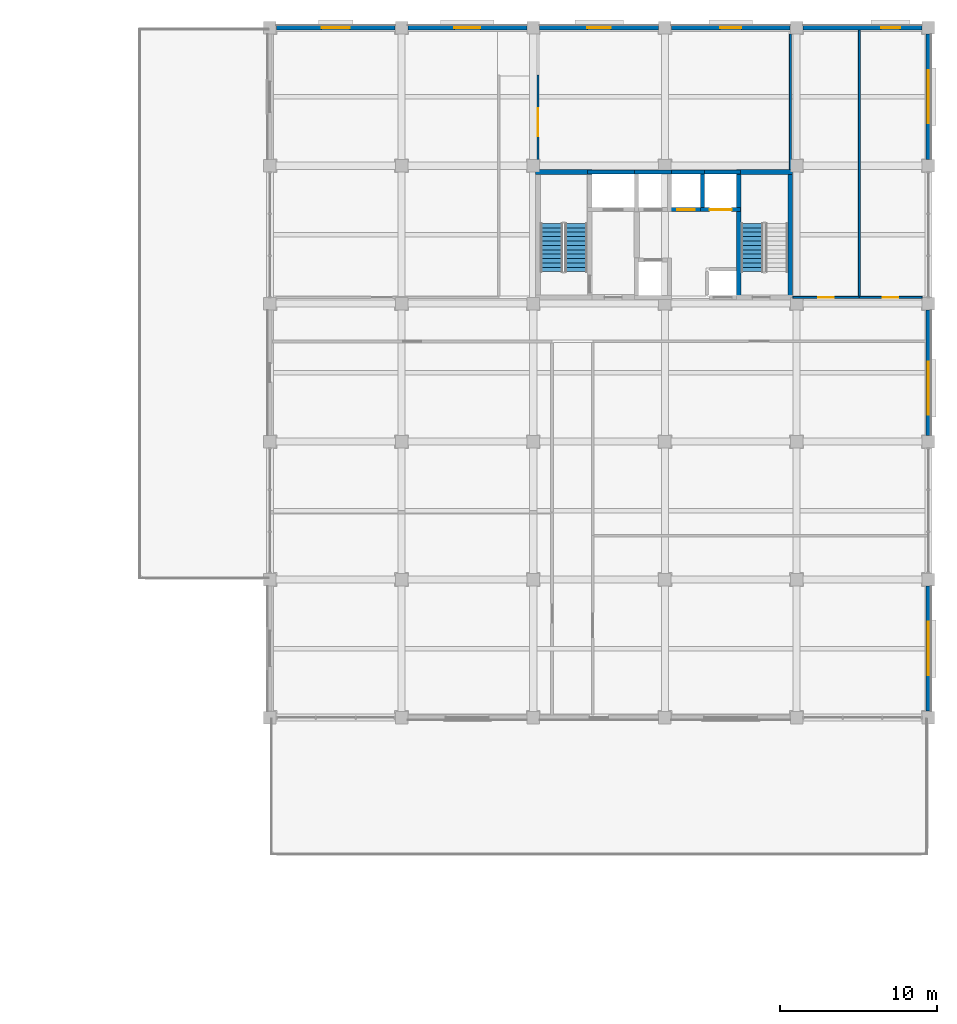
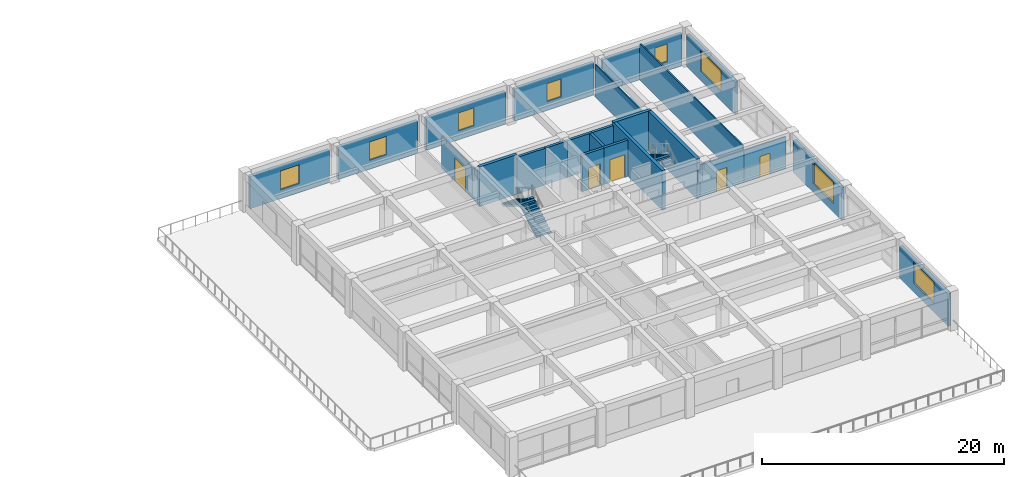
# One storey, part 38 of 49: 24 walls, 8 windows, 5 doors, 3 stair flights, 13 openings, 2 elements without a shape of their own.
"""IFC4 building model written with IfcOpenShell, lengths in metres."""

from ifc_helpers import new_model, si_unit, direction, frame, frame_2d, origin, place, context, subcontext, project, spatial, polyline, rectangle, outline, extrude, material, layer, layer_set, type_object, element, fill, aggregate, save


model = new_model("IFC4")

# Units and contexts
model_context = context("Model", 3, precision=1e-05, world=origin(), true_north=direction((0.0, 1.0)))
body_context = subcontext(model_context, "Body", "Model", "MODEL_VIEW")
ifc_project = project(units=[si_unit("LENGTHUNIT", "METRE"), si_unit("AREAUNIT", "SQUARE_METRE"), si_unit("VOLUMEUNIT", "CUBIC_METRE"), si_unit("PLANEANGLEUNIT", "RADIAN"), si_unit("MASSUNIT", "GRAM", prefix="KILO")], contexts=[model_context])

# Site, building, storey
site_placement = place(None, origin())
site = spatial("IfcSite", under=ifc_project, at=site_placement, CompositionType="ELEMENT")
building_placement = place(site_placement, origin())
building = spatial("IfcBuilding", under=site, at=building_placement, Name="Kemercrest Conservatory and Botanical Centre", CompositionType="ELEMENT")
storey_placement = place(building_placement, frame((0.0, 0.0, 13.199951171875)))
storey = spatial("IfcBuildingStorey", under=building, at=storey_placement, Name="L03", CompositionType="ELEMENT", Elevation=13.199951171875)

# Walls
ifc_material_1 = material(Name="Concrete C50/60", Category="concrete")
ifc_layer_1 = layer(ifc_material_1, 0.300048828125)
ifc_layer_set_1 = layer_set([ifc_layer_1], Name="Concrete C50/60")
wall_type_1 = type_object("IfcWallType", Name="CW-STAIR", PredefinedType="SHEAR", material=ifc_layer_set_1)
for number, where, z_axis, x_axis, name in (
    (1, (150.949951171875, 113.199951171875, 0.0), (0.0, 0.0, 1.0), (1.0, 0.0, 0.0), "Stair core ST-V4A shear wall N"),
    (2, (163.75, 113.199951171875, 0.0), (0.0, 0.0, 1.0), (1.0, 0.0, 0.0), "Stair core ST-V4B shear wall N"),
):
    element("IfcWall", number, at=place(storey_placement, frame(where, z_axis=z_axis, x_axis=x_axis)), inside=storey, type_object=wall_type_1, Name=name, PredefinedType="SHEAR", context=body_context, shape_type="SweptSolid", body=[
        extrude(rectangle(XDim=3.60009765625, YDim=0.300048828125, at=frame_2d((1.800048828125, 0.0))), origin(), (0.0, 0.0, 1.0), 4.0),
    ])
for number, where, z_axis, x_axis, name in (
    (3, (163.89990234375, 105.050048828125, 0.0), (0.0, 0.0, 1.0), (0.0, 1.0, 0.0), "Stair core ST-V4B shear wall W"),
    (4, (167.199951171875, 105.050048828125, 0.0), (0.0, 0.0, 1.0), (0.0, 1.0, 0.0), "Stair core ST-V4B shear wall E"),
):
    element("IfcWall", number, at=place(storey_placement, frame(where, z_axis=z_axis, x_axis=x_axis)), inside=storey, type_object=wall_type_1, Name=name, PredefinedType="SHEAR", context=body_context, shape_type="SweptSolid", body=[
        extrude(rectangle(XDim=8.300048828125, YDim=0.300048828125, at=frame_2d((4.14990234375, 0.0))), origin(), (0.0, 0.0, 1.0), 4.0),
    ])

# Wall, opening, window
ifc_material_2 = material(Name="Precast concrete C40/50", Category="concrete")
ifc_layer_2 = layer(ifc_material_2, 0.300048828125)
ifc_layer_set_2 = layer_set([ifc_layer_2], Name="Precast concrete C40/50")
wall_type_2 = type_object("IfcWallType", Name="W-EXT300", PredefinedType="SOLIDWALL", material=ifc_layer_set_2)
wall_1_placement = place(storey_placement, frame((176.0, 78.81005859375, 0.0), z_axis=(0.0, 0.0, 1.0), x_axis=(0.0, 1.0, 0.0)))
wall_1 = element("IfcWall", 5, at=wall_1_placement, inside=storey, type_object=wall_type_2, Name="Exterior almasik wall W-EXT300 (WAL:L03:EXT-213)", PredefinedType="SOLIDWALL", context=body_context, shape_type="SweptSolid", body=[
    extrude(rectangle(XDim=7.97998046875, YDim=0.300048828125, at=frame_2d((3.989990234375, 0.0))), origin(), (0.0, 0.0, 1.0), 3.25),
])
opening_1_placement = place(wall_1_placement, frame((2.2900390625, 0.0, 0.89990234375)))
opening_1 = element("IfcOpeningElement", 6, at=opening_1_placement, cuts=wall_1, Name="Opening WT-20", PredefinedType="OPENING", context=body_context, shape_type="SweptSolid", body=[
    extrude(rectangle(XDim=3.39990234375, YDim=2.14990234375, at=frame_2d((1.699951171875, 1.074951171875))), frame((0.0, 0.16015625, 0.0), z_axis=(0.0, -1.0, 0.0), x_axis=(1.0, 0.0, 0.0)), (0.0, 0.0, 1.0), 0.320068359375),
])
ifc_material_3 = material(Name="Thermally broken bronze-anodized aluminium and triple glazing", Category="aluminium")
window_type_1 = type_object("IfcWindowType", Name="WT-20", PartitioningType="SINGLE_PANEL", PredefinedType="WINDOW", material=ifc_material_3)
window_1_placement = place(opening_1_placement, origin())
window_1 = element("IfcWindow", 7, at=window_1_placement, inside=storey, type_object=window_type_1, Name="Exterior window WT-20 (WIN:L03:EXT-213)", OverallHeight=2.14990234375, OverallWidth=3.39990234375, PartitioningType="SINGLE_PANEL", PredefinedType="WINDOW", context=body_context, shape_type="SweptSolid", body=[
    extrude(rectangle(XDim=3.39990234375, YDim=2.14990234375, at=frame_2d((1.699951171875, 1.074951171875))), frame((0.0, 0.030029296875, 0.0), z_axis=(0.0, -1.0, 0.0), x_axis=(1.0, 0.0, 0.0)), (0.0, 0.0, 1.0), 0.06005859375),
])
fill(opening_1, window_1)

wall_2_placement = place(storey_placement, frame((176.0, 96.409912109375, 0.0), z_axis=(0.0, 0.0, 1.0), x_axis=(0.0, 1.0, 0.0)))
wall_2 = element("IfcWall", 8, at=wall_2_placement, inside=storey, type_object=wall_type_2, Name="Exterior almasik wall W-EXT300 (WAL:L03:EXT-214)", PredefinedType="SOLIDWALL", context=body_context, shape_type="SweptSolid", body=[
    extrude(rectangle(XDim=7.97998046875, YDim=0.300048828125, at=frame_2d((3.989990234375, 0.0))), origin(), (0.0, 0.0, 1.0), 3.25),
])
opening_2_placement = place(wall_2_placement, frame((1.294921875, 0.0, 0.89990234375)))
opening_2 = element("IfcOpeningElement", 9, at=opening_2_placement, cuts=wall_2, Name="Opening WT-20", PredefinedType="OPENING", context=body_context, shape_type="SweptSolid", body=[
    extrude(rectangle(XDim=3.39990234375, YDim=2.14990234375, at=frame_2d((1.699951171875, 1.074951171875))), frame((0.0, 0.16015625, 0.0), z_axis=(0.0, -1.0, 0.0), x_axis=(1.0, 0.0, 0.0)), (0.0, 0.0, 1.0), 0.320068359375),
])
window_2_placement = place(opening_2_placement, origin())
window_2 = element("IfcWindow", 10, at=window_2_placement, inside=storey, type_object=window_type_1, Name="Exterior window WT-20 (WIN:L03:EXT-214)", OverallHeight=2.14990234375, OverallWidth=3.39990234375, PartitioningType="SINGLE_PANEL", PredefinedType="WINDOW", context=body_context, shape_type="SweptSolid", body=[
    extrude(rectangle(XDim=3.39990234375, YDim=2.14990234375, at=frame_2d((1.699951171875, 1.074951171875))), frame((0.0, 0.030029296875, 0.0), z_axis=(0.0, -1.0, 0.0), x_axis=(1.0, 0.0, 0.0)), (0.0, 0.0, 1.0), 0.06005859375),
])
fill(opening_2, window_2)

wall_3_placement = place(storey_placement, frame((176.0, 114.010009765625, 0.0), z_axis=(0.0, 0.0, 1.0), x_axis=(0.0, 1.0, 0.0)))
wall_3 = element("IfcWall", 11, at=wall_3_placement, inside=storey, type_object=wall_type_2, Name="Exterior almasik wall W-EXT300 (WAL:L03:EXT-215)", PredefinedType="SOLIDWALL", context=body_context, shape_type="SweptSolid", body=[
    extrude(rectangle(XDim=7.97998046875, YDim=0.300048828125, at=frame_2d((3.989990234375, 0.0))), origin(), (0.0, 0.0, 1.0), 3.25),
])
opening_3_placement = place(wall_3_placement, frame((2.2900390625, 0.0, 0.89990234375)))
opening_3 = element("IfcOpeningElement", 12, at=opening_3_placement, cuts=wall_3, Name="Opening WT-20", PredefinedType="OPENING", context=body_context, shape_type="SweptSolid", body=[
    extrude(rectangle(XDim=3.39990234375, YDim=2.14990234375, at=frame_2d((1.699951171875, 1.074951171875))), frame((0.0, 0.16015625, 0.0), z_axis=(0.0, -1.0, 0.0), x_axis=(1.0, 0.0, 0.0)), (0.0, 0.0, 1.0), 0.320068359375),
])
window_3_placement = place(opening_3_placement, origin())
window_3 = element("IfcWindow", 13, at=window_3_placement, inside=storey, type_object=window_type_1, Name="Exterior window WT-20 (WIN:L03:EXT-215)", OverallHeight=2.14990234375, OverallWidth=3.39990234375, PartitioningType="SINGLE_PANEL", PredefinedType="WINDOW", context=body_context, shape_type="SweptSolid", body=[
    extrude(rectangle(XDim=3.39990234375, YDim=2.14990234375, at=frame_2d((1.699951171875, 1.074951171875))), frame((0.0, 0.030029296875, 0.0), z_axis=(0.0, -1.0, 0.0), x_axis=(1.0, 0.0, 0.0)), (0.0, 0.0, 1.0), 0.06005859375),
])
fill(opening_3, window_3)

wall_4_placement = place(storey_placement, frame((175.590087890625, 122.39990234375, 0.0), z_axis=(0.0, 0.0, 1.0), x_axis=(-1.0, 0.0, 0.0)))
wall_4 = element("IfcWall", 14, at=wall_4_placement, inside=storey, type_object=wall_type_2, Name="Exterior almasik wall W-EXT300 (WAL:L03:EXT-216)", PredefinedType="SOLIDWALL", context=body_context, shape_type="SweptSolid", body=[
    extrude(rectangle(XDim=7.580078125, YDim=0.300048828125, at=frame_2d((3.7900390625, 0.0))), origin(), (0.0, 0.0, 1.0), 3.25),
])
opening_4_placement = place(wall_4_placement, frame((1.39501953125, 0.0, 0.89990234375)))
opening_4 = element("IfcOpeningElement", 15, at=opening_4_placement, cuts=wall_4, Name="Opening WT-01", PredefinedType="OPENING", context=body_context, shape_type="SweptSolid", body=[
    extrude(rectangle(XDim=1.199951171875, YDim=1.800048828125, at=frame_2d((0.60009765625, 0.89990234375))), frame((0.0, 0.16015625, 0.0), z_axis=(0.0, -1.0, 0.0), x_axis=(1.0, 0.0, 0.0)), (0.0, 0.0, 1.0), 0.320068359375),
])
window_type_2 = type_object("IfcWindowType", Name="WT-01", PartitioningType="SINGLE_PANEL", PredefinedType="WINDOW", material=ifc_material_3)
window_4_placement = place(opening_4_placement, origin())
window_4 = element("IfcWindow", 16, at=window_4_placement, inside=storey, type_object=window_type_2, Name="Exterior window WT-01 (WIN:L03:EXT-216)", OverallHeight=1.800048828125, OverallWidth=1.199951171875, PartitioningType="SINGLE_PANEL", PredefinedType="WINDOW", context=body_context, shape_type="SweptSolid", body=[
    extrude(rectangle(XDim=1.199951171875, YDim=1.800048828125, at=frame_2d((0.60009765625, 0.89990234375))), frame((0.0, 0.030029296875, 0.0), z_axis=(0.0, -1.0, 0.0), x_axis=(1.0, 0.0, 0.0)), (0.0, 0.0, 1.0), 0.06005859375),
])
fill(opening_4, window_4)

wall_5_placement = place(storey_placement, frame((167.18994140625, 122.39990234375, 0.0), z_axis=(0.0, 0.0, 1.0), x_axis=(-1.0, 0.0, 0.0)))
wall_5 = element("IfcWall", 17, at=wall_5_placement, inside=storey, type_object=wall_type_2, Name="Exterior almasik wall W-EXT300 (WAL:L03:EXT-217)", PredefinedType="SOLIDWALL", context=body_context, shape_type="SweptSolid", body=[
    extrude(rectangle(XDim=7.579833984375, YDim=0.300048828125, at=frame_2d((3.7900390625, 0.0))), origin(), (0.0, 0.0, 1.0), 3.25),
])
opening_5_placement = place(wall_5_placement, frame((3.114990234375, 0.0, 0.89990234375)))
opening_5 = element("IfcOpeningElement", 18, at=opening_5_placement, cuts=wall_5, Name="Opening WT-02", PredefinedType="OPENING", context=body_context, shape_type="SweptSolid", body=[
    extrude(rectangle(XDim=1.35009765625, YDim=1.800048828125, at=frame_2d((0.675048828125, 0.89990234375))), frame((0.0, 0.16015625, 0.0), z_axis=(0.0, -1.0, 0.0), x_axis=(1.0, 0.0, 0.0)), (0.0, 0.0, 1.0), 0.320068359375),
])
window_type_3 = type_object("IfcWindowType", Name="WT-02", PartitioningType="SINGLE_PANEL", PredefinedType="WINDOW", material=ifc_material_3)
window_5_placement = place(opening_5_placement, origin())
window_5 = element("IfcWindow", 19, at=window_5_placement, inside=storey, type_object=window_type_3, Name="Exterior window WT-02 (WIN:L03:EXT-217)", OverallHeight=1.800048828125, OverallWidth=1.35009765625, PartitioningType="SINGLE_PANEL", PredefinedType="WINDOW", context=body_context, shape_type="SweptSolid", body=[
    extrude(rectangle(XDim=1.35009765625, YDim=1.800048828125, at=frame_2d((0.675048828125, 0.89990234375))), frame((0.0, 0.030029296875, 0.0), z_axis=(0.0, -1.0, 0.0), x_axis=(1.0, 0.0, 0.0)), (0.0, 0.0, 1.0), 0.06005859375),
])
fill(opening_5, window_5)

wall_6_placement = place(storey_placement, frame((158.7900390625, 122.39990234375, 0.0), z_axis=(0.0, 0.0, 1.0), x_axis=(-1.0, 0.0, 0.0)))
wall_6 = element("IfcWall", 20, at=wall_6_placement, inside=storey, type_object=wall_type_2, Name="Exterior almasik wall W-EXT300 (WAL:L03:EXT-218)", PredefinedType="SOLIDWALL", context=body_context, shape_type="SweptSolid", body=[
    extrude(rectangle(XDim=7.580078125, YDim=0.300048828125, at=frame_2d((3.7900390625, 0.0))), origin(), (0.0, 0.0, 1.0), 3.25),
])
opening_6_placement = place(wall_6_placement, frame((3.0400390625, 0.0, 0.89990234375)))
opening_6 = element("IfcOpeningElement", 21, at=opening_6_placement, cuts=wall_6, Name="Opening WT-03", PredefinedType="OPENING", context=body_context, shape_type="SweptSolid", body=[
    extrude(rectangle(XDim=1.5, YDim=1.800048828125, at=frame_2d((0.75, 0.89990234375))), frame((0.0, 0.16015625, 0.0), z_axis=(0.0, -1.0, 0.0), x_axis=(1.0, 0.0, 0.0)), (0.0, 0.0, 1.0), 0.320068359375),
])
window_type_4 = type_object("IfcWindowType", Name="WT-03", PartitioningType="SINGLE_PANEL", PredefinedType="WINDOW", material=ifc_material_3)
window_6_placement = place(opening_6_placement, origin())
window_6 = element("IfcWindow", 22, at=window_6_placement, inside=storey, type_object=window_type_4, Name="Exterior window WT-03 (WIN:L03:EXT-218)", OverallHeight=1.800048828125, OverallWidth=1.5, PartitioningType="SINGLE_PANEL", PredefinedType="WINDOW", context=body_context, shape_type="SweptSolid", body=[
    extrude(rectangle(XDim=1.5, YDim=1.800048828125, at=frame_2d((0.75, 0.89990234375))), frame((0.0, 0.030029296875, 0.0), z_axis=(0.0, -1.0, 0.0), x_axis=(1.0, 0.0, 0.0)), (0.0, 0.0, 1.0), 0.06005859375),
])
fill(opening_6, window_6)

wall_7_placement = place(storey_placement, frame((150.389892578125, 122.39990234375, 0.0), z_axis=(0.0, 0.0, 1.0), x_axis=(-1.0, 0.0, 0.0)))
wall_7 = element("IfcWall", 23, at=wall_7_placement, inside=storey, type_object=wall_type_2, Name="Exterior almasik wall W-EXT300 (WAL:L03:EXT-219)", PredefinedType="SOLIDWALL", context=body_context, shape_type="SweptSolid", body=[
    extrude(rectangle(XDim=7.579833984375, YDim=0.300048828125, at=frame_2d((3.7900390625, 0.0))), origin(), (0.0, 0.0, 1.0), 3.25),
])
opening_7_placement = place(wall_7_placement, frame((2.965087890625, 0.0, 0.89990234375)))
opening_7 = element("IfcOpeningElement", 24, at=opening_7_placement, cuts=wall_7, Name="Opening WT-04", PredefinedType="OPENING", context=body_context, shape_type="SweptSolid", body=[
    extrude(rectangle(XDim=1.64990234375, YDim=1.85009765625, at=frame_2d((0.824951171875, 0.925048828125))), frame((0.0, 0.16015625, 0.0), z_axis=(0.0, -1.0, 0.0), x_axis=(1.0, 0.0, 0.0)), (0.0, 0.0, 1.0), 0.320068359375),
])
window_type_5 = type_object("IfcWindowType", Name="WT-04", PartitioningType="SINGLE_PANEL", PredefinedType="WINDOW", material=ifc_material_3)
window_7_placement = place(opening_7_placement, origin())
window_7 = element("IfcWindow", 25, at=window_7_placement, inside=storey, type_object=window_type_5, Name="Exterior window WT-04 (WIN:L03:EXT-219)", OverallHeight=1.85009765625, OverallWidth=1.64990234375, PartitioningType="SINGLE_PANEL", PredefinedType="WINDOW", context=body_context, shape_type="SweptSolid", body=[
    extrude(rectangle(XDim=1.64990234375, YDim=1.85009765625, at=frame_2d((0.824951171875, 0.925048828125))), frame((0.0, 0.030029296875, 0.0), z_axis=(0.0, -1.0, 0.0), x_axis=(1.0, 0.0, 0.0)), (0.0, 0.0, 1.0), 0.06005859375),
])
fill(opening_7, window_7)

wall_8_placement = place(storey_placement, frame((141.989990234375, 122.39990234375, 0.0), z_axis=(0.0, 0.0, 1.0), x_axis=(-1.0, 0.0, 0.0)))
wall_8 = element("IfcWall", 26, at=wall_8_placement, inside=storey, type_object=wall_type_2, Name="Exterior almasik wall W-EXT300 (WAL:L03:EXT-220)", PredefinedType="SOLIDWALL", context=body_context, shape_type="SweptSolid", body=[
    extrude(rectangle(XDim=7.580078125, YDim=0.300048828125, at=frame_2d((3.7900390625, 0.0))), origin(), (0.0, 0.0, 1.0), 3.25),
])
opening_8_placement = place(wall_8_placement, frame((2.889892578125, 0.0, 0.89990234375)))
opening_8 = element("IfcOpeningElement", 27, at=opening_8_placement, cuts=wall_8, Name="Opening WT-05", PredefinedType="OPENING", context=body_context, shape_type="SweptSolid", body=[
    extrude(rectangle(XDim=1.800048828125, YDim=1.89990234375, at=frame_2d((0.89990234375, 0.949951171875))), frame((0.0, 0.16015625, 0.0), z_axis=(0.0, -1.0, 0.0), x_axis=(1.0, 0.0, 0.0)), (0.0, 0.0, 1.0), 0.320068359375),
])
window_type_6 = type_object("IfcWindowType", Name="WT-05", PartitioningType="SINGLE_PANEL", PredefinedType="WINDOW", material=ifc_material_3)
window_8_placement = place(opening_8_placement, origin())
window_8 = element("IfcWindow", 28, at=window_8_placement, inside=storey, type_object=window_type_6, Name="Exterior window WT-05 (WIN:L03:EXT-220)", OverallHeight=1.89990234375, OverallWidth=1.800048828125, PartitioningType="SINGLE_PANEL", PredefinedType="WINDOW", context=body_context, shape_type="SweptSolid", body=[
    extrude(rectangle(XDim=1.800048828125, YDim=1.89990234375, at=frame_2d((0.89990234375, 0.949951171875))), frame((0.0, 0.030029296875, 0.0), z_axis=(0.0, -1.0, 0.0), x_axis=(1.0, 0.0, 0.0)), (0.0, 0.0, 1.0), 0.06005859375),
])
fill(opening_8, window_8)

# Wall, opening, door
ifc_material_4 = material(Name="Moisture-resistant gypsum board partition", Category="gypsum")
ifc_layer_3 = layer(ifc_material_4, 0.125)
ifc_layer_set_3 = layer_set([ifc_layer_3], Name="Moisture-resistant gypsum board partition")
wall_type_3 = type_object("IfcWallType", Name="W-PART125", PredefinedType="PARTITIONING", material=ifc_layer_set_3)
wall_9_placement = place(storey_placement, frame((167.35498046875, 105.199951171875, 0.0), z_axis=(0.0, 0.0, 1.0), x_axis=(1.0, 0.0, 0.0)))
wall_9 = element("IfcWall", 29, at=wall_9_placement, inside=storey, type_object=wall_type_3, Name="Interior partition W-PART125 #146", PredefinedType="PARTITIONING", context=body_context, shape_type="SweptSolid", body=[
    extrude(rectangle(XDim=4.2451171875, YDim=0.125, at=frame_2d((2.12255859375, 0.0))), origin(), (0.0, 0.0, 1.0), 3.2451171875),
])
opening_9_placement = place(wall_9_placement, frame((1.632568359375, 0.0, 0.0)))
opening_9 = element("IfcOpeningElement", 30, at=opening_9_placement, cuts=wall_9, Name="Opening D192", PredefinedType="OPENING", context=body_context, shape_type="SweptSolid", body=[
    extrude(rectangle(XDim=0.97998046875, YDim=2.10009765625, at=frame_2d((0.489990234375, 1.050048828125))), frame((0.0, 0.072509765625, 0.0), z_axis=(0.0, -1.0, 0.0), x_axis=(1.0, 0.0, 0.0)), (0.0, 0.0, 1.0), 0.14501953125),
])
ifc_material_5 = material(Name="FSC solid-core white oak veneer and anodized aluminium frame", Category="aluminium")
door_type_1 = type_object("IfcDoorType", Name="DT-02", OperationType="NOTDEFINED", PredefinedType="DOOR", material=ifc_material_5)
door_1_placement = place(opening_9_placement, origin())
door_1 = element("IfcDoor", 31, at=door_1_placement, inside=storey, type_object=door_type_1, Name="Staff Washroom door D192", OperationType="SINGLE_SWING_RIGHT", OverallHeight=2.10009765625, OverallWidth=0.97998046875, PredefinedType="DOOR", context=body_context, shape_type="SweptSolid", body=[
    extrude(rectangle(XDim=0.97998046875, YDim=2.10009765625, at=frame_2d((0.489990234375, 1.050048828125))), frame((0.0, 0.02490234375, 0.0), z_axis=(0.0, -1.0, 0.0), x_axis=(1.0, 0.0, 0.0)), (0.0, 0.0, 1.0), 0.050048828125),
])
fill(opening_9, door_1)

wall_10_placement = place(storey_placement, frame((171.60009765625, 105.199951171875, 0.0), z_axis=(0.0, 0.0, 1.0), x_axis=(1.0, 0.0, 0.0)))
wall_10 = element("IfcWall", 32, at=wall_10_placement, inside=storey, type_object=wall_type_3, Name="Interior partition W-PART125 #147", PredefinedType="PARTITIONING", context=body_context, shape_type="SweptSolid", body=[
    extrude(rectangle(XDim=4.0, YDim=0.125, at=frame_2d((2.0, 0.0))), origin(), (0.0, 0.0, 1.0), 3.2451171875),
])
opening_10_placement = place(wall_10_placement, frame((1.510009765625, 0.0, 0.0)))
opening_10 = element("IfcOpeningElement", 33, at=opening_10_placement, cuts=wall_10, Name="Opening D193", PredefinedType="OPENING", context=body_context, shape_type="SweptSolid", body=[
    extrude(rectangle(XDim=0.97998046875, YDim=2.10009765625, at=frame_2d((0.489990234375, 1.050048828125))), frame((0.0, 0.072509765625, 0.0), z_axis=(0.0, -1.0, 0.0), x_axis=(1.0, 0.0, 0.0)), (0.0, 0.0, 1.0), 0.14501953125),
])
door_2_placement = place(opening_10_placement, origin())
door_2 = element("IfcDoor", 34, at=door_2_placement, inside=storey, type_object=door_type_1, Name="Accessible Washroom door D193", OperationType="SINGLE_SWING_LEFT", OverallHeight=2.10009765625, OverallWidth=0.97998046875, PredefinedType="DOOR", context=body_context, shape_type="SweptSolid", body=[
    extrude(rectangle(XDim=0.97998046875, YDim=2.10009765625, at=frame_2d((0.489990234375, 1.050048828125))), frame((0.0, 0.02490234375, 0.0), z_axis=(0.0, -1.0, 0.0), x_axis=(1.0, 0.0, 0.0)), (0.0, 0.0, 1.0), 0.050048828125),
])
fill(opening_10, door_2)

# Walls
wall_11_placement = place(storey_placement, frame((167.199951171875, 113.35498046875, 0.0), z_axis=(0.0, 0.0, 1.0), x_axis=(0.0, 1.0, 0.0)))
element("IfcWall", 35, at=wall_11_placement, inside=storey, type_object=wall_type_3, Name="Interior partition W-PART125 #158", PredefinedType="PARTITIONING", context=body_context, shape_type="SweptSolid", body=[
    extrude(rectangle(XDim=8.64501953125, YDim=0.125, at=frame_2d((4.322509765625, 0.0))), origin(), (0.0, 0.0, 1.0), 3.2451171875),
])
wall_12_placement = place(storey_placement, frame((171.60009765625, 105.267578125, 0.0), z_axis=(0.0, 0.0, 1.0), x_axis=(0.0, 1.0, 0.0)))
element("IfcWall", 36, at=wall_12_placement, inside=storey, type_object=wall_type_3, Name="Interior partition W-PART125 #159", PredefinedType="PARTITIONING", context=body_context, shape_type="SweptSolid", body=[
    extrude(rectangle(XDim=16.9775390625, YDim=0.125, at=frame_2d((8.48876953125, 0.0))), origin(), (0.0, 0.0, 1.0), 3.6650390625),
])

# Wall, opening, door
ifc_material_6 = material(Name="Steel-stud gypsum board partition", Category="steel")
ifc_layer_4 = layer(ifc_material_6, 0.14990234375)
ifc_layer_set_4 = layer_set([ifc_layer_4], Name="Steel-stud gypsum board partition")
wall_type_4 = type_object("IfcWallType", Name="W-PART150", PredefinedType="PARTITIONING", material=ifc_layer_set_4)
wall_13_placement = place(storey_placement, frame((151.10009765625, 113.35498046875, 0.0), z_axis=(0.0, 0.0, 1.0), x_axis=(0.0, 1.0, 0.0)))
wall_13 = element("IfcWall", 37, at=wall_13_placement, inside=storey, type_object=wall_type_4, Name="Interior partition W-PART150 #153", PredefinedType="PARTITIONING", context=body_context, shape_type="SweptSolid", body=[
    extrude(rectangle(XDim=6.044921875, YDim=0.14990234375, at=frame_2d((3.0224609375, 0.0))), origin(), (0.0, 0.0, 1.0), 3.2451171875),
])
opening_11_placement = place(wall_13_placement, frame((2.142578125, 0.0, 0.0)))
opening_11 = element("IfcOpeningElement", 38, at=opening_11_placement, cuts=wall_13, Name="Opening D196", PredefinedType="OPENING", context=body_context, shape_type="SweptSolid", body=[
    extrude(rectangle(XDim=1.760009765625, YDim=2.360107421875, at=frame_2d((0.8798828125, 1.18017578125))), frame((0.0, 0.0849609375, 0.0), z_axis=(0.0, -1.0, 0.0), x_axis=(1.0, 0.0, 0.0)), (0.0, 0.0, 1.0), 0.169921875),
])
door_type_2 = type_object("IfcDoorType", Name="DT-43", OperationType="DOUBLE_DOOR_SINGLE_SWING", PredefinedType="DOOR", material=ifc_material_5)
door_3_placement = place(opening_11_placement, origin())
door_3 = element("IfcDoor", 39, at=door_3_placement, inside=storey, type_object=door_type_2, Name="Growth Chamber Suite door D196", OperationType="DOUBLE_DOOR_SINGLE_SWING", OverallHeight=2.360107421875, OverallWidth=1.760009765625, PredefinedType="DOOR", context=body_context, shape_type="SweptSolid", body=[
    extrude(rectangle(XDim=1.760009765625, YDim=2.360107421875, at=frame_2d((0.8798828125, 1.18017578125))), frame((0.0, 0.02490234375, 0.0), z_axis=(0.0, -1.0, 0.0), x_axis=(1.0, 0.0, 0.0)), (0.0, 0.0, 1.0), 0.050048828125),
])
fill(opening_11, door_3)

# Walls
ifc_material_7 = material(Name="Concrete C40/50", Category="concrete")
ifc_layer_5 = layer(ifc_material_7, 0.25)
ifc_layer_set_5 = layer_set([ifc_layer_5], Name="Concrete C40/50")
wall_type_5 = type_object("IfcWallType", Name="W-SHFT250", PredefinedType="SOLIDWALL", material=ifc_layer_set_5)
wall_14_placement = place(storey_placement, frame((154.27490234375, 113.199951171875, 0.0), z_axis=(0.0, 0.0, 1.0), x_axis=(1.0, 0.0, 0.0)))
element("IfcWall", 40, at=wall_14_placement, inside=storey, type_object=wall_type_5, Name="Elevator LF-FF1 shaft wall north", PredefinedType="SOLIDWALL", context=body_context, shape_type="SweptSolid", body=[
    extrude(rectangle(XDim=3.25, YDim=0.25, at=frame_2d((1.625, 0.0))), origin(), (0.0, 0.0, 1.0), 3.679931640625),
])
wall_15_placement = place(storey_placement, frame((157.27490234375, 113.199951171875, 0.0), z_axis=(0.0, 0.0, 1.0), x_axis=(1.0, 0.0, 0.0)))
element("IfcWall", 41, at=wall_15_placement, inside=storey, type_object=wall_type_5, Name="Elevator LF-P1 shaft wall north", PredefinedType="SOLIDWALL", context=body_context, shape_type="SweptSolid", body=[
    extrude(rectangle(XDim=2.35009765625, YDim=0.25, at=frame_2d((1.175048828125, 0.0))), origin(), (0.0, 0.0, 1.0), 3.679931640625),
])

# Wall, opening, door
wall_16_placement = place(storey_placement, frame((159.375, 110.800048828125, 0.0), z_axis=(0.0, 0.0, 1.0), x_axis=(1.0, 0.0, 0.0)))
wall_16 = element("IfcWall", 42, at=wall_16_placement, inside=storey, type_object=wall_type_5, Name="Elevator LF-P2 shaft wall south", PredefinedType="SOLIDWALL", context=body_context, shape_type="SweptSolid", body=[
    extrude(rectangle(XDim=2.35009765625, YDim=0.25, at=frame_2d((1.175048828125, 0.0))), origin(), (0.0, 0.0, 1.0), 3.679931640625),
])
opening_12_placement = place(wall_16_placement, frame((0.625, 0.0, 0.0)))
opening_12 = element("IfcOpeningElement", 43, at=opening_12_placement, cuts=wall_16, Name="Opening LD-043", PredefinedType="OPENING", context=body_context, shape_type="SweptSolid", body=[
    extrude(rectangle(XDim=1.10009765625, YDim=2.199951171875, at=frame_2d((0.550048828125, 1.10009765625))), frame((0.0, 0.135009765625, 0.0), z_axis=(0.0, -1.0, 0.0), x_axis=(1.0, 0.0, 0.0)), (0.0, 0.0, 1.0), 0.27001953125),
])
ifc_material_8 = material(Name="Powder-coated galvanized steel and fire-rated vision glass", Category="steel")
door_type_3 = type_object("IfcDoorType", Name="DT-LD01", OperationType="SLIDING_TO_LEFT", PredefinedType="DOOR", material=ifc_material_8)
door_4_placement = place(opening_12_placement, origin())
door_4 = element("IfcDoor", 44, at=door_4_placement, inside=storey, type_object=door_type_3, Name="Elevator LF-P2 sliding landing door LD-043", OperationType="SLIDING_TO_LEFT", OverallHeight=2.199951171875, OverallWidth=1.10009765625, PredefinedType="DOOR", context=body_context, shape_type="SweptSolid", body=[
    extrude(rectangle(XDim=1.10009765625, YDim=2.199951171875, at=frame_2d((0.550048828125, 1.10009765625))), frame((0.0, 0.02490234375, 0.0), z_axis=(0.0, -1.0, 0.0), x_axis=(1.0, 0.0, 0.0)), (0.0, 0.0, 1.0), 0.050048828125),
])
fill(opening_12, door_4)

# Walls
wall_17_placement = place(storey_placement, frame((159.375, 113.199951171875, 0.0), z_axis=(0.0, 0.0, 1.0), x_axis=(1.0, 0.0, 0.0)))
element("IfcWall", 45, at=wall_17_placement, inside=storey, type_object=wall_type_5, Name="Elevator LF-P2 shaft wall north", PredefinedType="SOLIDWALL", context=body_context, shape_type="SweptSolid", body=[
    extrude(rectangle(XDim=2.35009765625, YDim=0.25, at=frame_2d((1.175048828125, 0.0))), origin(), (0.0, 0.0, 1.0), 3.679931640625),
])
wall_18_placement = place(storey_placement, frame((161.60009765625, 110.675048828125, 0.0), z_axis=(0.0, 0.0, 1.0), x_axis=(0.0, 1.0, 0.0)))
element("IfcWall", 46, at=wall_18_placement, inside=storey, type_object=wall_type_5, Name="Elevator LF-P2 shaft wall east", PredefinedType="SOLIDWALL", context=body_context, shape_type="SweptSolid", body=[
    extrude(rectangle(XDim=2.64990234375, YDim=0.25, at=frame_2d((1.324951171875, 0.0))), origin(), (0.0, 0.0, 1.0), 3.679931640625),
])

# Wall, opening, door
wall_19_placement = place(storey_placement, frame((161.47509765625, 110.800048828125, 0.0), z_axis=(0.0, 0.0, 1.0), x_axis=(1.0, 0.0, 0.0)))
wall_19 = element("IfcWall", 47, at=wall_19_placement, inside=storey, type_object=wall_type_5, Name="Elevator LF-G1 shaft wall south", PredefinedType="SOLIDWALL", context=body_context, shape_type="SweptSolid", body=[
    extrude(rectangle(XDim=2.5498046875, YDim=0.25, at=frame_2d((1.27490234375, 0.0))), origin(), (0.0, 0.0, 1.0), 3.679931640625),
])
opening_13_placement = place(wall_19_placement, frame((0.574951171875, 0.0, 0.0)))
opening_13 = element("IfcOpeningElement", 48, at=opening_13_placement, cuts=wall_19, Name="Opening LD-079", PredefinedType="OPENING", context=body_context, shape_type="SweptSolid", body=[
    extrude(rectangle(XDim=1.39990234375, YDim=2.300048828125, at=frame_2d((0.699951171875, 1.14990234375))), frame((0.0, 0.135009765625, 0.0), z_axis=(0.0, -1.0, 0.0), x_axis=(1.0, 0.0, 0.0)), (0.0, 0.0, 1.0), 0.27001953125),
])
door_type_4 = type_object("IfcDoorType", Name="DT-LD03", OperationType="SLIDING_TO_LEFT", PredefinedType="DOOR", material=ifc_material_8)
door_5_placement = place(opening_13_placement, origin())
door_5 = element("IfcDoor", 49, at=door_5_placement, inside=storey, type_object=door_type_4, Name="Elevator LF-G1 sliding landing door LD-079", OperationType="SLIDING_TO_LEFT", OverallHeight=2.300048828125, OverallWidth=1.39990234375, PredefinedType="DOOR", context=body_context, shape_type="SweptSolid", body=[
    extrude(rectangle(XDim=1.39990234375, YDim=2.300048828125, at=frame_2d((0.699951171875, 1.14990234375))), frame((0.0, 0.02490234375, 0.0), z_axis=(0.0, -1.0, 0.0), x_axis=(1.0, 0.0, 0.0)), (0.0, 0.0, 1.0), 0.050048828125),
])
fill(opening_13, door_5)

# Wall
wall_20_placement = place(storey_placement, frame((161.47509765625, 113.199951171875, 0.0), z_axis=(0.0, 0.0, 1.0), x_axis=(1.0, 0.0, 0.0)))
element("IfcWall", 50, at=wall_20_placement, inside=storey, type_object=wall_type_5, Name="Elevator LF-G1 shaft wall north", PredefinedType="SOLIDWALL", context=body_context, shape_type="SweptSolid", body=[
    extrude(rectangle(XDim=2.5498046875, YDim=0.25, at=frame_2d((1.27490234375, 0.0))), origin(), (0.0, 0.0, 1.0), 3.679931640625),
])

# Stair, stair flights
stair_type = type_object("IfcStairType", Name="ST-142-40", PredefinedType="HALF_TURN_STAIR", material=ifc_material_7)
stair_1_placement = place(storey_placement, origin())
stair_1 = element("IfcStair", 51, at=stair_1_placement, inside=storey, type_object=stair_type, Name="L03 Exit stair ST-V4A", PredefinedType="HALF_TURN_STAIR")
stair_flight_type = type_object("IfcStairFlightType", Name="FL-142-40", PredefinedType="STRAIGHT", material=ifc_material_7)
stair_flight_1_placement = place(storey_placement, frame((153.530029296875, 106.840087890625, 0.0), z_axis=(0.0, 0.0, 1.0), x_axis=(0.0, 1.0, 0.0)))
stair_flight_1 = element("IfcStairFlight", 52, at=stair_flight_1_placement, type_object=stair_flight_type, Name="ST-V4A flight 1", NumberOfRisers=12, NumberOfTreads=11, PredefinedType="STRAIGHT", RiserHeight=0.166666667, TreadLength=0.28, context=body_context, shape_type="SweptSolid", body=[
    extrude(outline(polyline([(0.0, 0.0), (0.0, 0.166748046875), (0.280029296875, 0.166748046875), (0.280029296875, 0.333251953125), (0.56005859375, 0.333251953125), (0.56005859375, 0.5), (0.840087890625, 0.5), (0.840087890625, 0.666748046875), (1.1201171875, 0.666748046875), (1.1201171875, 0.833251953125), (1.39990234375, 0.833251953125), (1.39990234375, 1.0), (1.679931640625, 1.0), (1.679931640625, 1.166748046875), (1.9599609375, 1.166748046875), (1.9599609375, 1.333251953125), (2.239990234375, 1.333251953125), (2.239990234375, 1.5), (2.52001953125, 1.5), (2.52001953125, 1.666748046875), (2.800048828125, 1.666748046875), (2.800048828125, 1.833251953125), (3.080078125, 1.833251953125), (3.080078125, 2.0), (3.080078125, 1.658935546875), (0.29296875, 0.0), (0.0, 0.0)])), frame((0.0, 0.7099609375, 0.0), z_axis=(0.0, -1.0, 0.0), x_axis=(1.0, 0.0, 0.0)), (0.0, 0.0, 1.0), 1.419921875),
])
stair_flight_2_placement = place(storey_placement, frame((151.969970703125, 109.919921875, 2.0), z_axis=(0.0, 0.0, 1.0), x_axis=(0.0, -1.0, 0.0)))
stair_flight_2 = element("IfcStairFlight", 53, at=stair_flight_2_placement, type_object=stair_flight_type, Name="ST-V4A flight 2", NumberOfRisers=12, NumberOfTreads=11, PredefinedType="STRAIGHT", RiserHeight=0.166666667, TreadLength=0.28, context=body_context, shape_type="SweptSolid", body=[
    extrude(outline(polyline([(0.0, 0.0), (0.0, 0.166748046875), (0.280029296875, 0.166748046875), (0.280029296875, 0.333251953125), (0.56005859375, 0.333251953125), (0.56005859375, 0.5), (0.840087890625, 0.5), (0.840087890625, 0.666748046875), (1.1201171875, 0.666748046875), (1.1201171875, 0.833251953125), (1.39990234375, 0.833251953125), (1.39990234375, 1.0), (1.679931640625, 1.0), (1.679931640625, 1.166748046875), (1.9599609375, 1.166748046875), (1.9599609375, 1.333251953125), (2.239990234375, 1.333251953125), (2.239990234375, 1.5), (2.52001953125, 1.5), (2.52001953125, 1.666748046875), (2.800048828125, 1.666748046875), (2.800048828125, 1.833251953125), (3.080078125, 1.833251953125), (3.080078125, 2.0), (3.080078125, 1.658935546875), (0.29296875, 0.0), (0.0, 0.0)])), frame((0.0, 0.7099609375, 0.0), z_axis=(0.0, -1.0, 0.0), x_axis=(1.0, 0.0, 0.0)), (0.0, 0.0, 1.0), 1.419921875),
])
aggregate(stair_1, [stair_flight_1, stair_flight_2])

# Stair, stair flight
stair_2_placement = place(storey_placement, origin())
stair_2 = element("IfcStair", 54, at=stair_2_placement, inside=storey, type_object=stair_type, Name="L03 Exit stair ST-V4B", PredefinedType="HALF_TURN_STAIR")
stair_flight_3_placement = place(storey_placement, frame((164.77001953125, 109.919921875, 2.0), z_axis=(0.0, 0.0, 1.0), x_axis=(0.0, -1.0, 0.0)))
stair_flight_3 = element("IfcStairFlight", 55, at=stair_flight_3_placement, type_object=stair_flight_type, Name="ST-V4B flight 2", NumberOfRisers=12, NumberOfTreads=11, PredefinedType="STRAIGHT", RiserHeight=0.166666667, TreadLength=0.28, context=body_context, shape_type="SweptSolid", body=[
    extrude(outline(polyline([(0.0, 0.0), (0.0, 0.166748046875), (0.280029296875, 0.166748046875), (0.280029296875, 0.333251953125), (0.56005859375, 0.333251953125), (0.56005859375, 0.5), (0.840087890625, 0.5), (0.840087890625, 0.666748046875), (1.1201171875, 0.666748046875), (1.1201171875, 0.833251953125), (1.39990234375, 0.833251953125), (1.39990234375, 1.0), (1.679931640625, 1.0), (1.679931640625, 1.166748046875), (1.9599609375, 1.166748046875), (1.9599609375, 1.333251953125), (2.239990234375, 1.333251953125), (2.239990234375, 1.5), (2.52001953125, 1.5), (2.52001953125, 1.666748046875), (2.800048828125, 1.666748046875), (2.800048828125, 1.833251953125), (3.080078125, 1.833251953125), (3.080078125, 2.0), (3.080078125, 1.658935546875), (0.29296875, 0.0), (0.0, 0.0)])), frame((0.0, 0.7099609375, 0.0), z_axis=(0.0, -1.0, 0.0), x_axis=(1.0, 0.0, 0.0)), (0.0, 0.0, 1.0), 1.419921875),
])
aggregate(stair_2, [stair_flight_3])

save(model, "model.ifc")
